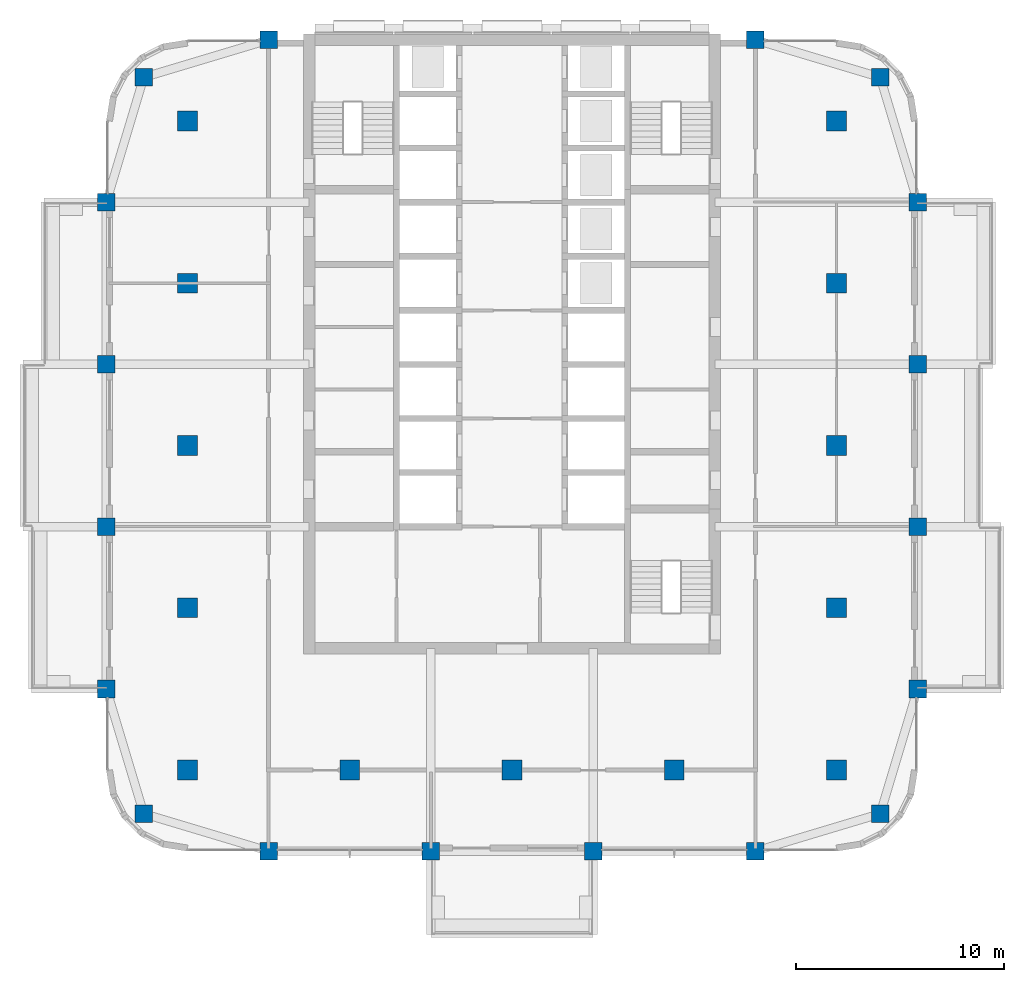
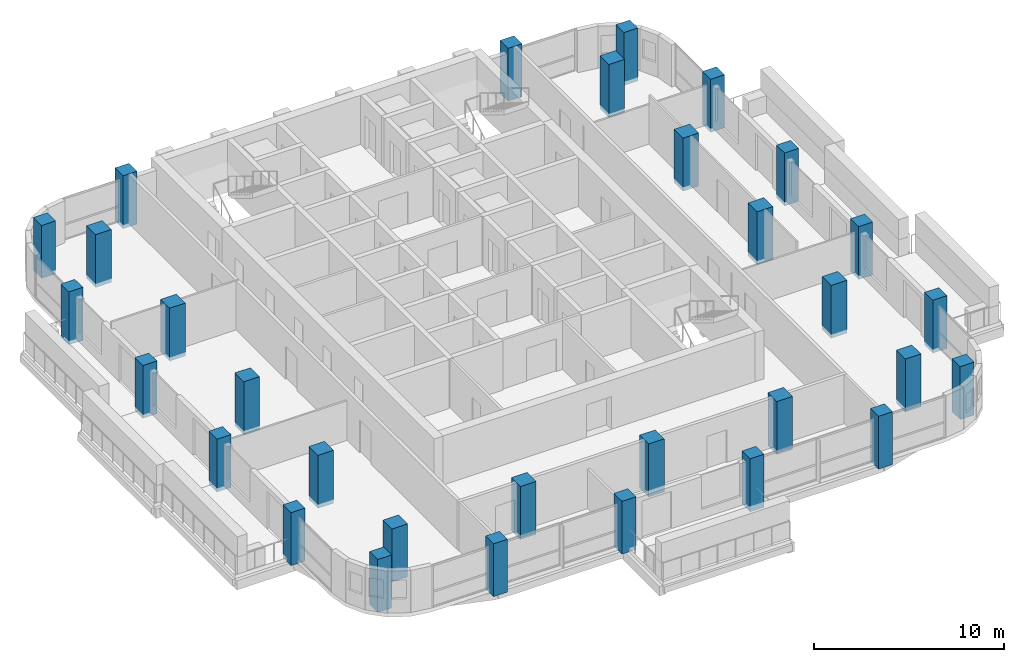
# One storey, part 1 of 19: 31 columns.
"""IFC4 building model written with IfcOpenShell, lengths in metres."""

from ifc_helpers import new_model, si_unit, direction, frame, origin, origin_2d, place, context, subcontext, project, spatial, rectangle, extrude, material, material_profile, profile_set, type_object, element, save


model = new_model("IFC4")

# Units and contexts
model_context = context("Model", 3, precision=1e-05, world=origin(), true_north=direction((0.0, 1.0)))
body_context = subcontext(model_context, "Body", "Model", "MODEL_VIEW")
ifc_project = project(units=[si_unit("LENGTHUNIT", "METRE"), si_unit("AREAUNIT", "SQUARE_METRE"), si_unit("VOLUMEUNIT", "CUBIC_METRE"), si_unit("PLANEANGLEUNIT", "RADIAN"), si_unit("MASSUNIT", "GRAM", prefix="KILO")], contexts=[model_context])

# Site, building, storey
site_placement = place(None, origin())
site = spatial("IfcSite", under=ifc_project, at=site_placement, CompositionType="ELEMENT")
building_placement = place(site_placement, origin())
building = spatial("IfcBuilding", under=site, at=building_placement, Name="Ludao Terraces", CompositionType="ELEMENT")
storey_placement = place(building_placement, frame((0.0, 0.0, 133.89990234375)))
storey = spatial("IfcBuildingStorey", under=building, at=storey_placement, Name="L36", CompositionType="ELEMENT", Elevation=133.89990234375)

# Columns
ifc_material = material(Name="Concrete C50", Category="concrete")
ifc_material_profile_1 = material_profile(ifc_material, rectangle(XDim=0.85009765625, YDim=0.85009765625, at=origin_2d()), Name="850 X 850")
ifc_profile_set_1 = profile_set([ifc_material_profile_1], Name="Concrete C50")
column_type_1 = type_object("IfcColumnType", Name="RC column 850x850 C50", PredefinedType="COLUMN", material=ifc_profile_set_1)
for number, where, z_axis, x_axis, name in (
    (1, (67.300048828125, 47.300048828125, -0.25), (0.0, 0.0, 1.0), (1.0, 0.0, 0.0), "Column L36 C0057x0057"),
    (2, (102.699951171875, 47.300048828125, -0.25), (0.0, 0.0, 1.0), (1.0, 0.0, 0.0), "Column L36 C0411x0057"),
    (3, (67.300048828125, 82.699951171875, -0.25), (0.0, 0.0, 1.0), (1.0, 0.0, 0.0), "Column L36 C0057x0411"),
    (4, (102.699951171875, 82.699951171875, -0.25), (0.0, 0.0, 1.0), (1.0, 0.0, 0.0), "Column L36 C0411x0411"),
    (5, (65.5, 53.300048828125, -0.25), (0.0, 0.0, 1.0), (1.0, 0.0, 0.0), "Column L36 W0039x0117"),
    (6, (104.5, 53.300048828125, -0.25), (0.0, 0.0, 1.0), (1.0, 0.0, 0.0), "Column L36 W0429x0117"),
    (7, (73.300048828125, 45.5, -0.25), (0.0, 0.0, 1.0), (1.0, 0.0, 0.0), "Column L36 W0117x0039"),
    (8, (73.300048828125, 84.5, -0.25), (0.0, 0.0, 1.0), (1.0, 0.0, 0.0), "Column L36 W0117x0429"),
    (9, (65.5, 61.10009765625, -0.25), (0.0, 0.0, 1.0), (1.0, 0.0, 0.0), "Column L36 W0039x0195"),
    (10, (104.5, 61.10009765625, -0.25), (0.0, 0.0, 1.0), (1.0, 0.0, 0.0), "Column L36 W0429x0195"),
    (11, (81.10009765625, 45.5, -0.25), (0.0, 0.0, 1.0), (1.0, 0.0, 0.0), "Column L36 W0195x0039"),
    (12, (65.5, 68.89990234375, -0.25), (0.0, 0.0, 1.0), (1.0, 0.0, 0.0), "Column L36 W0039x0273"),
    (13, (104.5, 68.89990234375, -0.25), (0.0, 0.0, 1.0), (1.0, 0.0, 0.0), "Column L36 W0429x0273"),
    (14, (88.89990234375, 45.5, -0.25), (0.0, 0.0, 1.0), (1.0, 0.0, 0.0), "Column L36 W0273x0039"),
    (15, (65.5, 76.699951171875, -0.25), (0.0, 0.0, 1.0), (1.0, 0.0, 0.0), "Column L36 W0039x0351"),
    (16, (104.5, 76.699951171875, -0.25), (0.0, 0.0, 1.0), (1.0, 0.0, 0.0), "Column L36 W0429x0351"),
    (17, (96.699951171875, 45.5, -0.25), (0.0, 0.0, 1.0), (1.0, 0.0, 0.0), "Column L36 W0351x0039"),
    (18, (96.699951171875, 84.5, -0.25), (0.0, 0.0, 1.0), (1.0, 0.0, 0.0), "Column L36 W0351x0429"),
):
    element("IfcColumn", number, at=place(storey_placement, frame(where, z_axis=z_axis, x_axis=x_axis)), inside=storey, type_object=column_type_1, Name=name, PredefinedType="COLUMN", context=body_context, shape_type="SweptSolid", body=[
        extrude(rectangle(XDim=0.85009765625, YDim=0.85009765625, at=origin_2d()), origin(), (0.0, 0.0, 1.0), 3.400146484375),
    ])
ifc_material_profile_2 = material_profile(ifc_material, rectangle(XDim=0.949951171875, YDim=0.949951171875, at=origin_2d()), Name="950 X 950")
ifc_profile_set_2 = profile_set([ifc_material_profile_2], Name="Concrete C50")
column_type_2 = type_object("IfcColumnType", Name="RC column 950x950 C50", PredefinedType="COLUMN", material=ifc_profile_set_2)
for number, where, z_axis, x_axis, name in (
    (19, (69.39990234375, 49.39990234375, -0.25), (0.0, 0.0, 1.0), (1.0, 0.0, 0.0), "Column L36 S0078x0078"),
    (20, (69.39990234375, 57.199951171875, -0.25), (0.0, 0.0, 1.0), (1.0, 0.0, 0.0), "Column L36 S0078x0156"),
    (21, (69.39990234375, 65.0, -0.25), (0.0, 0.0, 1.0), (1.0, 0.0, 0.0), "Column L36 S0078x0234"),
    (22, (69.39990234375, 72.800048828125, -0.25), (0.0, 0.0, 1.0), (1.0, 0.0, 0.0), "Column L36 S0078x0312"),
    (23, (69.39990234375, 80.60009765625, -0.25), (0.0, 0.0, 1.0), (1.0, 0.0, 0.0), "Column L36 S0078x0390"),
    (24, (77.199951171875, 49.39990234375, -0.25), (0.0, 0.0, 1.0), (1.0, 0.0, 0.0), "Column L36 S0156x0078"),
    (25, (85.0, 49.39990234375, -0.25), (0.0, 0.0, 1.0), (1.0, 0.0, 0.0), "Column L36 S0234x0078"),
    (26, (92.800048828125, 49.39990234375, -0.25), (0.0, 0.0, 1.0), (1.0, 0.0, 0.0), "Column L36 S0312x0078"),
    (27, (100.60009765625, 49.39990234375, -0.25), (0.0, 0.0, 1.0), (1.0, 0.0, 0.0), "Column L36 S0390x0078"),
    (28, (100.60009765625, 57.199951171875, -0.25), (0.0, 0.0, 1.0), (1.0, 0.0, 0.0), "Column L36 S0390x0156"),
    (29, (100.60009765625, 65.0, -0.25), (0.0, 0.0, 1.0), (1.0, 0.0, 0.0), "Column L36 S0390x0234"),
    (30, (100.60009765625, 72.800048828125, -0.25), (0.0, 0.0, 1.0), (1.0, 0.0, 0.0), "Column L36 S0390x0312"),
    (31, (100.60009765625, 80.60009765625, -0.25), (0.0, 0.0, 1.0), (1.0, 0.0, 0.0), "Column L36 S0390x0390"),
):
    element("IfcColumn", number, at=place(storey_placement, frame(where, z_axis=z_axis, x_axis=x_axis)), inside=storey, type_object=column_type_2, Name=name, PredefinedType="COLUMN", context=body_context, shape_type="SweptSolid", body=[
        extrude(rectangle(XDim=0.949951171875, YDim=0.949951171875, at=origin_2d()), origin(), (0.0, 0.0, 1.0), 3.400146484375),
    ])

save(model, "model.ifc")
